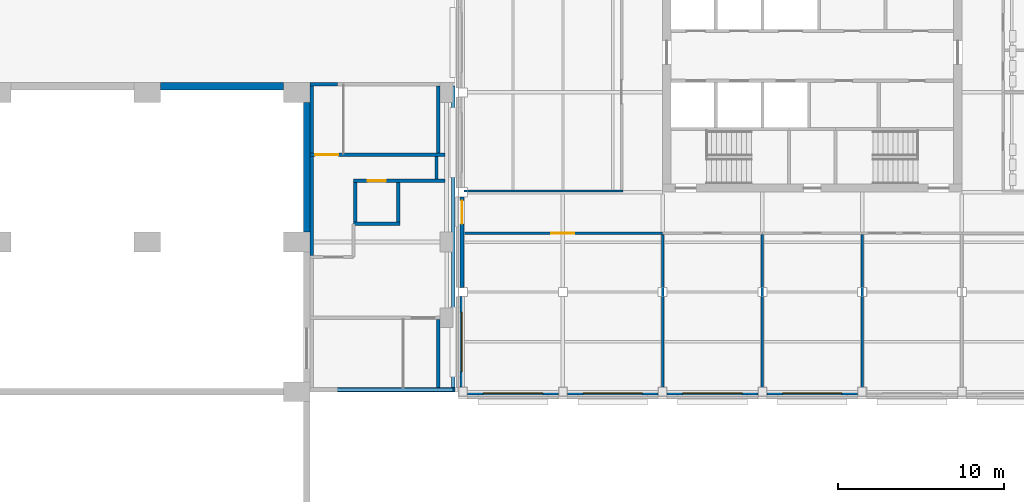
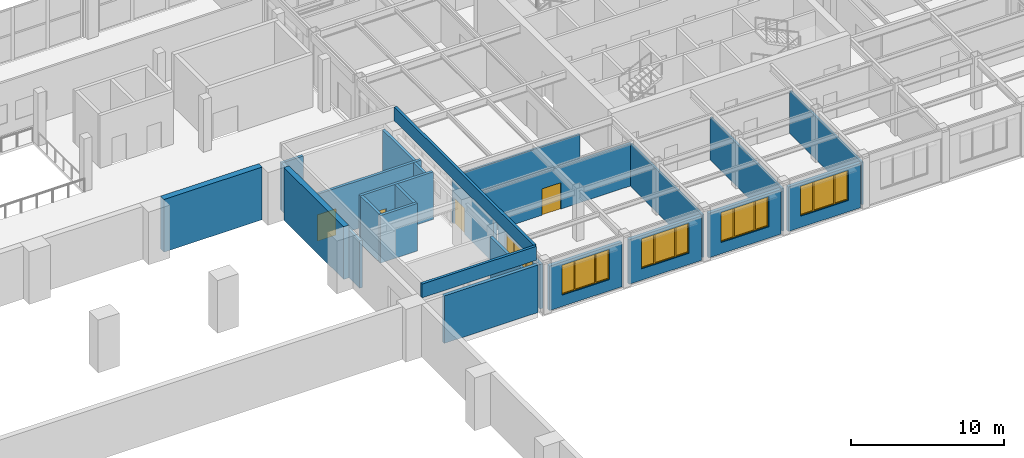
# One storey, part 22 of 39: 27 walls, 5 windows, 4 doors, 9 openings.
"""IFC4 building model written with IfcOpenShell, lengths in metres."""

from ifc_helpers import new_model, si_unit, direction, frame, frame_2d, origin, place, context, subcontext, project, spatial, polyline, rectangle, outline, extrude, material, layer, layer_set, type_object, element, fill, save


model = new_model("IFC4")

# Units and contexts
model_context = context("Model", 3, precision=1e-05, world=origin(), true_north=direction((0.0, 1.0)))
body_context = subcontext(model_context, "Body", "Model", "MODEL_VIEW")
ifc_project = project(units=[si_unit("LENGTHUNIT", "METRE"), si_unit("AREAUNIT", "SQUARE_METRE"), si_unit("VOLUMEUNIT", "CUBIC_METRE"), si_unit("PLANEANGLEUNIT", "RADIAN"), si_unit("MASSUNIT", "GRAM", prefix="KILO")], contexts=[model_context])

# Site, building, storey
site_placement = place(None, origin())
site = spatial("IfcSite", under=ifc_project, at=site_placement, CompositionType="ELEMENT")
building_placement = place(site_placement, origin())
building = spatial("IfcBuilding", under=site, at=building_placement, Name="Aravalli Gate Trade Fair Centre", CompositionType="ELEMENT")
storey_placement = place(building_placement, frame((0.0, 0.0, 15.0)))
storey = spatial("IfcBuildingStorey", under=building, at=storey_placement, Name="L03", CompositionType="ELEMENT", Elevation=15.0)

# Walls
ifc_material_1 = material(Name="Concrete M40", Category="concrete")
ifc_layer_1 = layer(ifc_material_1, 0.25, Name="Structural wall")
ifc_material_2 = material(Name="Ventilated air cavity")
ifc_layer_2 = layer(ifc_material_2, 0.050048828125, ventilated=True, Name="Ventilated cavity")
ifc_material_3 = material(Name="Terracotta rainscreen", Category="masonry")
ifc_layer_3 = layer(ifc_material_3, 0.10009765625, Name="Rainscreen cladding")
ifc_layer_set_1 = layer_set([ifc_layer_1, ifc_layer_2, ifc_layer_3], Name="Congress external wall 400")
wall_type_1 = type_object("IfcWallType", Name="Congress external wall 400", PredefinedType="SOLIDWALL", material=ifc_layer_set_1)
wall_1_placement = place(storey_placement, frame((150.60009765625, 100.60009765625, 0.0), z_axis=(0.0, 0.0, 1.0), x_axis=(0.0, 1.0, 0.0)))
element("IfcWall", 1, at=wall_1_placement, inside=storey, type_object=wall_type_1, Name="East wall L03 bay 7", PredefinedType="SOLIDWALL", context=body_context, shape_type="SweptSolid", body=[
    extrude(rectangle(XDim=7.7998046875, YDim=0.39990234375, at=frame_2d((3.89990234375, 0.0))), origin(), (0.0, 0.0, 1.0), 4.199951171875),
])
ifc_layer_4 = layer(ifc_material_1, 0.449951171875)
ifc_layer_set_2 = layer_set([ifc_layer_4], Name="Concrete M40")
wall_type_2 = type_object("IfcWallType", Name="Congress party wall 450", PredefinedType="SOLIDWALL", material=ifc_layer_set_2)
wall_2_placement = place(storey_placement, frame((141.800048828125, 109.375, 0.0), z_axis=(0.0, 0.0, 1.0), x_axis=(1.0, 0.0, 0.0)))
element("IfcWall", 2, at=wall_2_placement, inside=storey, type_object=wall_type_2, Name="North wall L03 bay 5", PredefinedType="SOLIDWALL", context=body_context, shape_type="SweptSolid", body=[
    extrude(rectangle(XDim=7.39990234375, YDim=0.449951171875, at=frame_2d((3.699951171875, 0.0))), origin(), (0.0, 0.0, 1.0), 4.199951171875),
])
ifc_material_4 = material(Name="Concrete M30", Category="concrete")
ifc_layer_5 = layer(ifc_material_4, 0.2099609375, Name="Reinforced concrete")
ifc_material_5 = material(Name="Terracotta cladding", Category="masonry")
ifc_layer_6 = layer(ifc_material_5, 0.0400390625, Name="Terracotta cladding")
ifc_layer_set_3 = layer_set([ifc_layer_5, ifc_layer_6], Name="Link external wall 250")
wall_type_3 = type_object("IfcWallType", Name="Link external wall 250", PredefinedType="SOLIDWALL", material=ifc_layer_set_3)
wall_3_placement = place(storey_placement, frame((152.449951171875, 91.125, 0.0), z_axis=(0.0, 0.0, 1.0), x_axis=(1.0, 0.0, 0.0)))
element("IfcWall", 3, at=wall_3_placement, inside=storey, type_object=wall_type_3, Name="Link wall S2 L03", PredefinedType="SOLIDWALL", context=body_context, shape_type="SweptSolid", body=[
    extrude(rectangle(XDim=7.050048828125, YDim=0.25, at=frame_2d((3.52490234375, 0.0))), origin(), (0.0, 0.0, 1.0), 3.7900390625),
])
wall_4_placement = place(storey_placement, frame((150.800048828125, 109.5, 0.0), z_axis=(0.0, 0.0, 1.0), x_axis=(1.0, 0.0, 0.0)))
element("IfcWall", 4, at=wall_4_placement, inside=storey, type_object=wall_type_3, Name="Link wall N1 L03", PredefinedType="SOLIDWALL", context=body_context, shape_type="SweptSolid", body=[
    extrude(rectangle(XDim=1.64990234375, YDim=0.199951171875, at=frame_2d((0.824951171875, 0.0))), origin(), (0.0, 0.0, 1.0), 3.7900390625),
])
ifc_layer_7 = layer(ifc_material_4, 0.199951171875)
ifc_layer_set_4 = layer_set([ifc_layer_7], Name="Concrete M30")
wall_type_4 = type_object("IfcWallType", Name="Link roof parapet 200", PredefinedType="PARAPET", material=ifc_layer_set_4)
wall_5_placement = place(storey_placement, frame((150.800048828125, 91.125, 4.199951171875), z_axis=(0.0, 0.0, 1.0), x_axis=(1.0, 0.0, 0.0)))
element("IfcWall", 5, at=wall_5_placement, inside=storey, type_object=wall_type_4, Name="Link roof parapet S", PredefinedType="PARAPET", context=body_context, shape_type="SweptSolid", body=[
    extrude(rectangle(XDim=8.599853515625, YDim=0.199951171875, at=frame_2d((4.2998046875, 0.0))), origin(), (0.0, 0.0, 1.0), 1.10009765625),
])
wall_6_placement = place(storey_placement, frame((159.39990234375, 91.22509765625, 4.199951171875), z_axis=(0.0, 0.0, 1.0), x_axis=(0.0, 1.0, 0.0)))
element("IfcWall", 6, at=wall_6_placement, inside=storey, type_object=wall_type_4, Name="Link roof parapet E", PredefinedType="PARAPET", context=body_context, shape_type="SweptSolid", body=[
    extrude(rectangle(XDim=18.1748046875, YDim=0.199951171875, at=frame_2d((9.08740234375, 0.0))), origin(), (0.0, 0.0, 1.0), 1.10009765625),
])

# Wall, opening, door
ifc_layer_8 = layer(ifc_material_4, 0.199951171875)
ifc_layer_set_5 = layer_set([ifc_layer_8], Name="Concrete M30")
wall_type_5 = type_object("IfcWallType", Name="Link stair enclosure 200", PredefinedType="SOLIDWALL", material=ifc_layer_set_5)
wall_7_placement = place(storey_placement, frame((150.800048828125, 105.25, 0.0), z_axis=(0.0, 0.0, 1.0), x_axis=(1.0, 0.0, 0.0)))
wall_7 = element("IfcWall", 7, at=wall_7_placement, inside=storey, type_object=wall_type_5, Name="Link wall LBS L03", PredefinedType="SOLIDWALL", context=body_context, shape_type="SweptSolid", body=[
    extrude(rectangle(XDim=8.094970703125, YDim=0.199951171875, at=frame_2d((4.04736328125, 0.0))), origin(), (0.0, 0.0, 1.0), 3.7900390625),
])
opening_1_placement = place(wall_7_placement, frame((0.300048828125, 0.0, 0.0)))
opening_1 = element("IfcOpeningElement", 8, at=opening_1_placement, cuts=wall_7, Name="Opening T-L03-192", PredefinedType="OPENING", context=body_context, shape_type="SweptSolid", body=[
    extrude(rectangle(XDim=1.39990234375, YDim=2.10009765625, at=frame_2d((0.699951171875, 1.050048828125))), frame((0.0, 0.10986328125, 0.0), z_axis=(0.0, -1.0, 0.0), x_axis=(1.0, 0.0, 0.0)), (0.0, 0.0, 1.0), 0.219970703125),
])
ifc_material_6 = material(Name="Steel, fire rated", Category="steel")
door_type_1 = type_object("IfcDoorType", Name="Wing fire door FD120 1400 x 2100", OperationType="DOUBLE_DOOR_SINGLE_SWING", PredefinedType="DOOR", material=ifc_material_6)
door_1_placement = place(opening_1_placement, origin())
door_1 = element("IfcDoor", 9, at=door_1_placement, inside=storey, type_object=door_type_1, Name="Link door T-L03-192", OperationType="DOUBLE_DOOR_SINGLE_SWING", OverallHeight=2.10009765625, OverallWidth=1.39990234375, PredefinedType="DOOR", context=body_context, shape_type="SweptSolid", body=[
    extrude(rectangle(XDim=1.39990234375, YDim=2.10009765625, at=frame_2d((0.699951171875, 1.050048828125))), frame((0.0, 0.02490234375, 0.0), z_axis=(0.0, -1.0, 0.0), x_axis=(1.0, 0.0, 0.0)), (0.0, 0.0, 1.0), 0.050048828125),
])
fill(opening_1, door_1)

# Walls
wall_8_placement = place(storey_placement, frame((158.5, 91.25, 0.0), z_axis=(0.0, 0.0, 1.0), x_axis=(0.0, 1.0, 0.0)))
element("IfcWall", 10, at=wall_8_placement, inside=storey, type_object=wall_type_5, Name="Link wall LAE L03", PredefinedType="SOLIDWALL", context=body_context, shape_type="SweptSolid", body=[
    extrude(rectangle(XDim=4.10009765625, YDim=0.199951171875, at=frame_2d((2.050048828125, 0.0))), origin(), (0.0, 0.0, 1.0), 3.7900390625),
])
wall_9_placement = place(storey_placement, frame((158.5, 105.35009765625, 0.0), z_axis=(0.0, 0.0, 1.0), x_axis=(0.0, 1.0, 0.0)))
element("IfcWall", 11, at=wall_9_placement, inside=storey, type_object=wall_type_5, Name="Link wall LBE L03", PredefinedType="SOLIDWALL", context=body_context, shape_type="SweptSolid", body=[
    extrude(rectangle(XDim=4.0498046875, YDim=0.199951171875, at=frame_2d((2.02490234375, 0.0))), origin(), (0.0, 0.0, 1.0), 3.7900390625),
])

# Wall, opening, door
wall_10_placement = place(storey_placement, frame((153.39990234375, 103.699951171875, 0.0), z_axis=(0.0, 0.0, 1.0), x_axis=(1.0, 0.0, 0.0)))
wall_10 = element("IfcWall", 12, at=wall_10_placement, inside=storey, type_object=wall_type_5, Name="Link wall FHS L03", PredefinedType="SOLIDWALL", context=body_context, shape_type="SweptSolid", body=[
    extrude(rectangle(XDim=5.4951171875, YDim=0.199951171875, at=frame_2d((2.74755859375, 0.0))), origin(), (0.0, 0.0, 1.0), 3.7900390625),
])
opening_2_placement = place(wall_10_placement, frame((0.85009765625, 0.0, 0.0)))
opening_2 = element("IfcOpeningElement", 13, at=opening_2_placement, cuts=wall_10, Name="Opening T-L03-194", PredefinedType="OPENING", context=body_context, shape_type="SweptSolid", body=[
    extrude(rectangle(XDim=1.10009765625, YDim=2.10009765625, at=frame_2d((0.550048828125, 1.050048828125))), frame((0.0, 0.10986328125, 0.0), z_axis=(0.0, -1.0, 0.0), x_axis=(1.0, 0.0, 0.0)), (0.0, 0.0, 1.0), 0.219970703125),
])
ifc_material_7 = material(Name="Elevator door panels")
door_type_2 = type_object("IfcDoorType", Name="Wing lift landing door 1100 x 2100", OperationType="SLIDING_TO_LEFT", PredefinedType="DOOR", material=ifc_material_7)
door_2_placement = place(opening_2_placement, origin())
door_2 = element("IfcDoor", 14, at=door_2_placement, inside=storey, type_object=door_type_2, Name="Landing door T-L03-194", OperationType="SLIDING_TO_LEFT", OverallHeight=2.10009765625, OverallWidth=1.10009765625, PredefinedType="DOOR", context=body_context, shape_type="SweptSolid", body=[
    extrude(rectangle(XDim=1.10009765625, YDim=2.10009765625, at=frame_2d((0.550048828125, 1.050048828125))), frame((0.0, 0.02490234375, 0.0), z_axis=(0.0, -1.0, 0.0), x_axis=(1.0, 0.0, 0.0)), (0.0, 0.0, 1.0), 0.050048828125),
])
fill(opening_2, door_2)

# Walls
wall_11_placement = place(storey_placement, frame((158.39990234375, 103.800048828125, 0.0), z_axis=(0.0, 0.0, 1.0), x_axis=(0.0, 1.0, 0.0)))
element("IfcWall", 15, at=wall_11_placement, inside=storey, type_object=wall_type_5, Name="Link wall FHE L03", PredefinedType="SOLIDWALL", context=body_context, shape_type="SweptSolid", body=[
    extrude(rectangle(XDim=1.349853515625, YDim=0.199951171875, at=frame_2d((0.6748046875, 0.0))), origin(), (0.0, 0.0, 1.0), 3.7900390625),
])
for number, where, z_axis, x_axis, name in (
    (16, (153.5, 101.199951171875, 0.0), (0.0, 0.0, 1.0), (0.0, 1.0, 0.0), "Link wall FHW L03"),
    (17, (156.10009765625, 101.199951171875, 0.0), (0.0, 0.0, 1.0), (0.0, 1.0, 0.0), "Link wall FHX L03"),
):
    element("IfcWall", number, at=place(storey_placement, frame(where, z_axis=z_axis, x_axis=x_axis)), inside=storey, type_object=wall_type_5, Name=name, PredefinedType="SOLIDWALL", context=body_context, shape_type="SweptSolid", body=[
        extrude(rectangle(XDim=2.400146484375, YDim=0.199951171875, at=frame_2d((1.2001953125, 0.0))), origin(), (0.0, 0.0, 1.0), 3.7900390625),
    ])
wall_12_placement = place(storey_placement, frame((153.39990234375, 101.10009765625, 0.0), z_axis=(0.0, 0.0, 1.0), x_axis=(1.0, 0.0, 0.0)))
element("IfcWall", 18, at=wall_12_placement, inside=storey, type_object=wall_type_5, Name="Link wall FHB L03", PredefinedType="SOLIDWALL", context=body_context, shape_type="SweptSolid", body=[
    extrude(rectangle(XDim=2.800048828125, YDim=0.199951171875, at=frame_2d((1.39990234375, 0.0))), origin(), (0.0, 0.0, 1.0), 3.7900390625),
])
wall_13_placement = place(storey_placement, frame((150.89990234375, 99.199951171875, 0.0), z_axis=(0.0, 0.0, 1.0), x_axis=(0.0, 1.0, 0.0)))
element("IfcWall", 19, at=wall_13_placement, inside=storey, type_object=wall_type_5, Name="Link west closing wall 3 L03", PredefinedType="SOLIDWALL", context=body_context, shape_type="SweptSolid", body=[
    extrude(rectangle(XDim=5.949951171875, YDim=0.199951171875, at=frame_2d((2.97509765625, 0.0))), origin(), (0.0, 0.0, 1.0), 3.7900390625),
])
wall_14_placement = place(storey_placement, frame((150.89990234375, 105.35009765625, 0.0), z_axis=(0.0, 0.0, 1.0), x_axis=(0.0, 1.0, 0.0)))
element("IfcWall", 20, at=wall_14_placement, inside=storey, type_object=wall_type_5, Name="Link west closing wall 4 L03", PredefinedType="SOLIDWALL", context=body_context, shape_type="SweptSolid", body=[
    extrude(rectangle(XDim=4.0498046875, YDim=0.199951171875, at=frame_2d((2.02490234375, 0.0))), origin(), (0.0, 0.0, 1.0), 3.7900390625),
])

# Wall, opening, door
ifc_material_8 = material(Name="Blockwork with fire-rated lining", Category="masonry")
ifc_layer_9 = layer(ifc_material_8, 0.14990234375)
ifc_layer_set_6 = layer_set([ifc_layer_9], Name="Blockwork with fire-rated lining")
wall_type_6 = type_object("IfcWallType", Name="Wing partition 150 (EI 60, corridor wall)", PredefinedType="PARTITIONING", material=ifc_layer_set_6)
wall_15_placement = place(storey_placement, frame((160.050048828125, 100.52490234375, 0.0), z_axis=(0.0, 0.0, 1.0), x_axis=(1.0, 0.0, 0.0)))
wall_15 = element("IfcWall", 21, at=wall_15_placement, inside=storey, type_object=wall_type_6, Name="Partition SW1 L03", PredefinedType="PARTITIONING", context=body_context, shape_type="SweptSolid", body=[
    extrude(rectangle(XDim=11.949951171875, YDim=0.14990234375, at=frame_2d((5.97509765625, 0.0))), origin(), (0.0, 0.0, 1.0), 3.39990234375),
])
opening_3_placement = place(wall_15_placement, frame((5.237548828125, 0.0, 0.0)))
opening_3 = element("IfcOpeningElement", 22, at=opening_3_placement, cuts=wall_15, Name="Opening T-L03-141", PredefinedType="OPENING", context=body_context, shape_type="SweptSolid", body=[
    extrude(rectangle(XDim=1.39990234375, YDim=2.10009765625, at=frame_2d((0.699951171875, 1.050048828125))), frame((0.0, 0.0849609375, 0.0), z_axis=(0.0, -1.0, 0.0), x_axis=(1.0, 0.0, 0.0)), (0.0, 0.0, 1.0), 0.169921875),
])
door_type_3 = type_object("IfcDoorType", Name="Wing fire door FD60 1400 x 2100", OperationType="DOUBLE_DOOR_SINGLE_SWING", PredefinedType="DOOR", material=ifc_material_6)
door_3_placement = place(opening_3_placement, frame((1.39990234375, 0.0, 0.0), z_axis=(0.0, 0.0, 1.0), x_axis=(-1.0, 0.0, 0.0)))
door_3 = element("IfcDoor", 23, at=door_3_placement, inside=storey, type_object=door_type_3, Name="Door T-L03-141", OperationType="DOUBLE_DOOR_SINGLE_SWING", OverallHeight=2.10009765625, OverallWidth=1.39990234375, PredefinedType="DOOR", context=body_context, shape_type="SweptSolid", body=[
    extrude(rectangle(XDim=1.39990234375, YDim=2.10009765625, at=frame_2d((0.699951171875, 1.050048828125))), frame((0.0, 0.02490234375, 0.0), z_axis=(0.0, -1.0, 0.0), x_axis=(1.0, 0.0, 0.0)), (0.0, 0.0, 1.0), 0.050048828125),
])
fill(opening_3, door_3)

# Walls
for number, where, z_axis, x_axis, name in (
    (24, (172.0, 91.050048828125, 0.0), (0.0, 0.0, 1.0), (0.0, 1.0, 0.0), "Partition SP1 L03"),
    (25, (178.0, 91.050048828125, 0.0), (0.0, 0.0, 1.0), (0.0, 1.0, 0.0), "Partition SP2 L03"),
    (26, (184.0, 91.050048828125, 0.0), (0.0, 0.0, 1.0), (0.0, 1.0, 0.0), "Partition SP3 L03"),
):
    element("IfcWall", number, at=place(storey_placement, frame(where, z_axis=z_axis, x_axis=x_axis)), inside=storey, type_object=wall_type_6, Name=name, PredefinedType="PARTITIONING", context=body_context, shape_type="SweptSolid", body=[
        extrude(rectangle(XDim=9.39990234375, YDim=0.14990234375, at=frame_2d((4.699951171875, 0.0))), origin(), (0.0, 0.0, 1.0), 3.39990234375),
    ])
wall_16_placement = place(storey_placement, frame((160.050048828125, 103.074951171875, 0.0), z_axis=(0.0, 0.0, 1.0), x_axis=(1.0, 0.0, 0.0)))
element("IfcWall", 27, at=wall_16_placement, inside=storey, type_object=wall_type_6, Name="Partition CL-SW L03", PredefinedType="PARTITIONING", context=body_context, shape_type="SweptSolid", body=[
    extrude(rectangle(XDim=9.550048828125, YDim=0.14990234375, at=frame_2d((4.77490234375, 0.0))), origin(), (0.0, 0.0, 1.0), 3.39990234375),
])

# Wall, opening, window
ifc_material_9 = material(Name="Concrete block masonry", Category="masonry")
ifc_layer_10 = layer(ifc_material_9, 0.2099609375, Name="Block masonry")
ifc_layer_11 = layer(ifc_material_5, 0.0400390625, Name="Terracotta cladding")
ifc_layer_set_7 = layer_set([ifc_layer_10, ifc_layer_11], Name="Wing terracotta clad infill wall 250")
wall_type_7 = type_object("IfcWallType", Name="Wing terracotta clad infill wall 250", PredefinedType="SOLIDWALL", material=ifc_layer_set_7)
wall_17_placement = place(storey_placement, frame((160.27490234375, 90.925048828125, 0.0), z_axis=(0.0, 0.0, 1.0), x_axis=(1.0, 0.0, 0.0)))
wall_17 = element("IfcWall", 28, at=wall_17_placement, inside=storey, type_object=wall_type_7, Name="Facade wall S0 L03", PredefinedType="SOLIDWALL", context=body_context, shape_type="SweptSolid", body=[
    extrude(rectangle(XDim=5.4501953125, YDim=0.25, at=frame_2d((2.72509765625, 0.0))), origin(), (0.0, 0.0, 1.0), 3.550048828125),
])
opening_4_placement = place(wall_17_placement, frame((0.925048828125, 0.0, 0.89990234375)))
opening_4 = element("IfcOpeningElement", 29, at=opening_4_placement, cuts=wall_17, Name="Opening TWN1", PredefinedType="OPENING", context=body_context, shape_type="SweptSolid", body=[
    extrude(rectangle(XDim=3.60009765625, YDim=2.39990234375, at=frame_2d((1.800048828125, 1.199951171875))), frame((0.0, 0.135009765625, 0.0), z_axis=(0.0, -1.0, 0.0), x_axis=(1.0, 0.0, 0.0)), (0.0, 0.0, 1.0), 0.27001953125),
])
ifc_material_10 = material(Name="Aluminium and glass", Category="aluminium")
window_type = type_object("IfcWindowType", Name="Wing chicago window 3600 x 2400", PartitioningType="TRIPLE_PANEL_VERTICAL", PredefinedType="WINDOW", material=ifc_material_10)
window_1_placement = place(opening_4_placement, origin())
window_1 = element("IfcWindow", 30, at=window_1_placement, inside=storey, type_object=window_type, Name="Window S0 L03", OverallHeight=2.39990234375, OverallWidth=3.60009765625, PartitioningType="TRIPLE_PANEL_VERTICAL", PredefinedType="WINDOW", context=body_context, shape_type="SweptSolid", body=[
    extrude(outline(polyline([(0.0, 0.0), (3.60009765625, 0.0), (3.60009765625, 2.39990234375), (0.0, 2.39990234375), (0.0, 0.0)]), holes=[polyline([(0.06005859375, 0.06005859375), (0.9599609375, 0.06005859375), (0.9599609375, 2.33984375), (0.06005859375, 2.33984375), (0.06005859375, 0.06005859375)]), polyline([(1.06005859375, 0.06005859375), (2.539794921875, 0.06005859375), (2.539794921875, 2.33984375), (1.06005859375, 2.33984375), (1.06005859375, 0.06005859375)]), polyline([(2.639892578125, 0.06005859375), (3.539794921875, 0.06005859375), (3.539794921875, 2.33984375), (2.639892578125, 2.33984375), (2.639892578125, 0.06005859375)])]), frame((0.0, 0.030029296875, 0.0), z_axis=(0.0, -1.0, 0.0), x_axis=(1.0, 0.0, 0.0)), (0.0, 0.0, 1.0), 0.06005859375),
    extrude(rectangle(XDim=0.923828125, YDim=2.3037109375, at=frame_2d((0.510009765625, 1.199951171875))), frame((0.0, 0.010009765625, 0.0), z_axis=(0.0, -1.0, 0.0), x_axis=(1.0, 0.0, 0.0)), (0.0, 0.0, 1.0), 0.02001953125),
    extrude(rectangle(XDim=1.503662109375, YDim=2.3037109375, at=frame_2d((1.7998046875, 1.199951171875))), frame((0.0, 0.010009765625, 0.0), z_axis=(0.0, -1.0, 0.0), x_axis=(1.0, 0.0, 0.0)), (0.0, 0.0, 1.0), 0.02001953125),
    extrude(rectangle(XDim=0.923828125, YDim=2.3037109375, at=frame_2d((3.08984375, 1.199951171875))), frame((0.0, 0.010009765625, 0.0), z_axis=(0.0, -1.0, 0.0), x_axis=(1.0, 0.0, 0.0)), (0.0, 0.0, 1.0), 0.02001953125),
])
fill(opening_4, window_1)

wall_18_placement = place(storey_placement, frame((166.27490234375, 90.925048828125, 0.0), z_axis=(0.0, 0.0, 1.0), x_axis=(1.0, 0.0, 0.0)))
wall_18 = element("IfcWall", 31, at=wall_18_placement, inside=storey, type_object=wall_type_7, Name="Facade wall S1 L03", PredefinedType="SOLIDWALL", context=body_context, shape_type="SweptSolid", body=[
    extrude(rectangle(XDim=5.4501953125, YDim=0.25, at=frame_2d((2.72509765625, 0.0))), origin(), (0.0, 0.0, 1.0), 3.550048828125),
])
opening_5_placement = place(wall_18_placement, frame((0.925048828125, 0.0, 0.89990234375)))
opening_5 = element("IfcOpeningElement", 32, at=opening_5_placement, cuts=wall_18, Name="Opening TWN1", PredefinedType="OPENING", context=body_context, shape_type="SweptSolid", body=[
    extrude(rectangle(XDim=3.60009765625, YDim=2.39990234375, at=frame_2d((1.800048828125, 1.199951171875))), frame((0.0, 0.135009765625, 0.0), z_axis=(0.0, -1.0, 0.0), x_axis=(1.0, 0.0, 0.0)), (0.0, 0.0, 1.0), 0.27001953125),
])
window_2_placement = place(opening_5_placement, origin())
window_2 = element("IfcWindow", 33, at=window_2_placement, inside=storey, type_object=window_type, Name="Window S1 L03", OverallHeight=2.39990234375, OverallWidth=3.60009765625, PartitioningType="TRIPLE_PANEL_VERTICAL", PredefinedType="WINDOW", context=body_context, shape_type="SweptSolid", body=[
    extrude(outline(polyline([(0.0, 0.0), (3.60009765625, 0.0), (3.60009765625, 2.39990234375), (0.0, 2.39990234375), (0.0, 0.0)]), holes=[polyline([(0.06005859375, 0.06005859375), (0.9599609375, 0.06005859375), (0.9599609375, 2.33984375), (0.06005859375, 2.33984375), (0.06005859375, 0.06005859375)]), polyline([(1.06005859375, 0.06005859375), (2.539794921875, 0.06005859375), (2.539794921875, 2.33984375), (1.06005859375, 2.33984375), (1.06005859375, 0.06005859375)]), polyline([(2.639892578125, 0.06005859375), (3.539794921875, 0.06005859375), (3.539794921875, 2.33984375), (2.639892578125, 2.33984375), (2.639892578125, 0.06005859375)])]), frame((0.0, 0.030029296875, 0.0), z_axis=(0.0, -1.0, 0.0), x_axis=(1.0, 0.0, 0.0)), (0.0, 0.0, 1.0), 0.06005859375),
    extrude(rectangle(XDim=0.923828125, YDim=2.3037109375, at=frame_2d((0.510009765625, 1.199951171875))), frame((0.0, 0.010009765625, 0.0), z_axis=(0.0, -1.0, 0.0), x_axis=(1.0, 0.0, 0.0)), (0.0, 0.0, 1.0), 0.02001953125),
    extrude(rectangle(XDim=1.503662109375, YDim=2.3037109375, at=frame_2d((1.7998046875, 1.199951171875))), frame((0.0, 0.010009765625, 0.0), z_axis=(0.0, -1.0, 0.0), x_axis=(1.0, 0.0, 0.0)), (0.0, 0.0, 1.0), 0.02001953125),
    extrude(rectangle(XDim=0.923828125, YDim=2.3037109375, at=frame_2d((3.08984375, 1.199951171875))), frame((0.0, 0.010009765625, 0.0), z_axis=(0.0, -1.0, 0.0), x_axis=(1.0, 0.0, 0.0)), (0.0, 0.0, 1.0), 0.02001953125),
])
fill(opening_5, window_2)

wall_19_placement = place(storey_placement, frame((172.27490234375, 90.925048828125, 0.0), z_axis=(0.0, 0.0, 1.0), x_axis=(1.0, 0.0, 0.0)))
wall_19 = element("IfcWall", 34, at=wall_19_placement, inside=storey, type_object=wall_type_7, Name="Facade wall S2 L03", PredefinedType="SOLIDWALL", context=body_context, shape_type="SweptSolid", body=[
    extrude(rectangle(XDim=5.4501953125, YDim=0.25, at=frame_2d((2.72509765625, 0.0))), origin(), (0.0, 0.0, 1.0), 3.550048828125),
])
opening_6_placement = place(wall_19_placement, frame((0.925048828125, 0.0, 0.89990234375)))
opening_6 = element("IfcOpeningElement", 35, at=opening_6_placement, cuts=wall_19, Name="Opening TWN1", PredefinedType="OPENING", context=body_context, shape_type="SweptSolid", body=[
    extrude(rectangle(XDim=3.60009765625, YDim=2.39990234375, at=frame_2d((1.800048828125, 1.199951171875))), frame((0.0, 0.135009765625, 0.0), z_axis=(0.0, -1.0, 0.0), x_axis=(1.0, 0.0, 0.0)), (0.0, 0.0, 1.0), 0.27001953125),
])
window_3_placement = place(opening_6_placement, origin())
window_3 = element("IfcWindow", 36, at=window_3_placement, inside=storey, type_object=window_type, Name="Window S2 L03", OverallHeight=2.39990234375, OverallWidth=3.60009765625, PartitioningType="TRIPLE_PANEL_VERTICAL", PredefinedType="WINDOW", context=body_context, shape_type="SweptSolid", body=[
    extrude(outline(polyline([(0.0, 0.0), (3.60009765625, 0.0), (3.60009765625, 2.39990234375), (0.0, 2.39990234375), (0.0, 0.0)]), holes=[polyline([(0.06005859375, 0.06005859375), (0.9599609375, 0.06005859375), (0.9599609375, 2.33984375), (0.06005859375, 2.33984375), (0.06005859375, 0.06005859375)]), polyline([(1.06005859375, 0.06005859375), (2.539794921875, 0.06005859375), (2.539794921875, 2.33984375), (1.06005859375, 2.33984375), (1.06005859375, 0.06005859375)]), polyline([(2.639892578125, 0.06005859375), (3.539794921875, 0.06005859375), (3.539794921875, 2.33984375), (2.639892578125, 2.33984375), (2.639892578125, 0.06005859375)])]), frame((0.0, 0.030029296875, 0.0), z_axis=(0.0, -1.0, 0.0), x_axis=(1.0, 0.0, 0.0)), (0.0, 0.0, 1.0), 0.06005859375),
    extrude(rectangle(XDim=0.923828125, YDim=2.3037109375, at=frame_2d((0.510009765625, 1.199951171875))), frame((0.0, 0.010009765625, 0.0), z_axis=(0.0, -1.0, 0.0), x_axis=(1.0, 0.0, 0.0)), (0.0, 0.0, 1.0), 0.02001953125),
    extrude(rectangle(XDim=1.503662109375, YDim=2.3037109375, at=frame_2d((1.7998046875, 1.199951171875))), frame((0.0, 0.010009765625, 0.0), z_axis=(0.0, -1.0, 0.0), x_axis=(1.0, 0.0, 0.0)), (0.0, 0.0, 1.0), 0.02001953125),
    extrude(rectangle(XDim=0.923828125, YDim=2.3037109375, at=frame_2d((3.08984375, 1.199951171875))), frame((0.0, 0.010009765625, 0.0), z_axis=(0.0, -1.0, 0.0), x_axis=(1.0, 0.0, 0.0)), (0.0, 0.0, 1.0), 0.02001953125),
])
fill(opening_6, window_3)

wall_20_placement = place(storey_placement, frame((178.27490234375, 90.925048828125, 0.0), z_axis=(0.0, 0.0, 1.0), x_axis=(1.0, 0.0, 0.0)))
wall_20 = element("IfcWall", 37, at=wall_20_placement, inside=storey, type_object=wall_type_7, Name="Facade wall S3 L03", PredefinedType="SOLIDWALL", context=body_context, shape_type="SweptSolid", body=[
    extrude(rectangle(XDim=5.4501953125, YDim=0.25, at=frame_2d((2.72509765625, 0.0))), origin(), (0.0, 0.0, 1.0), 3.550048828125),
])
opening_7_placement = place(wall_20_placement, frame((0.925048828125, 0.0, 0.89990234375)))
opening_7 = element("IfcOpeningElement", 38, at=opening_7_placement, cuts=wall_20, Name="Opening TWN1", PredefinedType="OPENING", context=body_context, shape_type="SweptSolid", body=[
    extrude(rectangle(XDim=3.60009765625, YDim=2.39990234375, at=frame_2d((1.800048828125, 1.199951171875))), frame((0.0, 0.135009765625, 0.0), z_axis=(0.0, -1.0, 0.0), x_axis=(1.0, 0.0, 0.0)), (0.0, 0.0, 1.0), 0.27001953125),
])
window_4_placement = place(opening_7_placement, origin())
window_4 = element("IfcWindow", 39, at=window_4_placement, inside=storey, type_object=window_type, Name="Window S3 L03", OverallHeight=2.39990234375, OverallWidth=3.60009765625, PartitioningType="TRIPLE_PANEL_VERTICAL", PredefinedType="WINDOW", context=body_context, shape_type="SweptSolid", body=[
    extrude(outline(polyline([(0.0, 0.0), (3.60009765625, 0.0), (3.60009765625, 2.39990234375), (0.0, 2.39990234375), (0.0, 0.0)]), holes=[polyline([(0.06005859375, 0.06005859375), (0.9599609375, 0.06005859375), (0.9599609375, 2.33984375), (0.06005859375, 2.33984375), (0.06005859375, 0.06005859375)]), polyline([(1.06005859375, 0.06005859375), (2.539794921875, 0.06005859375), (2.539794921875, 2.33984375), (1.06005859375, 2.33984375), (1.06005859375, 0.06005859375)]), polyline([(2.639892578125, 0.06005859375), (3.539794921875, 0.06005859375), (3.539794921875, 2.33984375), (2.639892578125, 2.33984375), (2.639892578125, 0.06005859375)])]), frame((0.0, 0.030029296875, 0.0), z_axis=(0.0, -1.0, 0.0), x_axis=(1.0, 0.0, 0.0)), (0.0, 0.0, 1.0), 0.06005859375),
    extrude(rectangle(XDim=0.923828125, YDim=2.3037109375, at=frame_2d((0.510009765625, 1.199951171875))), frame((0.0, 0.010009765625, 0.0), z_axis=(0.0, -1.0, 0.0), x_axis=(1.0, 0.0, 0.0)), (0.0, 0.0, 1.0), 0.02001953125),
    extrude(rectangle(XDim=1.503662109375, YDim=2.3037109375, at=frame_2d((1.7998046875, 1.199951171875))), frame((0.0, 0.010009765625, 0.0), z_axis=(0.0, -1.0, 0.0), x_axis=(1.0, 0.0, 0.0)), (0.0, 0.0, 1.0), 0.02001953125),
    extrude(rectangle(XDim=0.923828125, YDim=2.3037109375, at=frame_2d((3.08984375, 1.199951171875))), frame((0.0, 0.010009765625, 0.0), z_axis=(0.0, -1.0, 0.0), x_axis=(1.0, 0.0, 0.0)), (0.0, 0.0, 1.0), 0.02001953125),
])
fill(opening_7, window_4)

ifc_layer_12 = layer(ifc_material_9, 0.2099609375, Name="Block masonry")
ifc_layer_13 = layer(ifc_material_5, 0.0400390625, Name="Terracotta cladding")
ifc_layer_set_8 = layer_set([ifc_layer_12, ifc_layer_13], Name="Wing west closing wall 250")
wall_type_8 = type_object("IfcWallType", Name="Wing west closing wall 250", PredefinedType="SOLIDWALL", material=ifc_layer_set_8)
wall_21_placement = place(storey_placement, frame((159.925048828125, 91.27490234375, 0.0), z_axis=(0.0, 0.0, 1.0), x_axis=(0.0, 1.0, 0.0)))
wall_21 = element("IfcWall", 40, at=wall_21_placement, inside=storey, type_object=wall_type_8, Name="Facade wall W0 L03", PredefinedType="SOLIDWALL", context=body_context, shape_type="SweptSolid", body=[
    extrude(rectangle(XDim=5.4501953125, YDim=0.25, at=frame_2d((2.72509765625, 0.0))), origin(), (0.0, 0.0, 1.0), 3.550048828125),
])
opening_8_placement = place(wall_21_placement, frame((0.925048828125, 0.0, 0.89990234375)))
opening_8 = element("IfcOpeningElement", 41, at=opening_8_placement, cuts=wall_21, Name="Opening TWN1", PredefinedType="OPENING", context=body_context, shape_type="SweptSolid", body=[
    extrude(rectangle(XDim=3.60009765625, YDim=2.39990234375, at=frame_2d((1.800048828125, 1.199951171875))), frame((0.0, 0.135009765625, 0.0), z_axis=(0.0, -1.0, 0.0), x_axis=(1.0, 0.0, 0.0)), (0.0, 0.0, 1.0), 0.27001953125),
])
window_5_placement = place(opening_8_placement, origin())
window_5 = element("IfcWindow", 42, at=window_5_placement, inside=storey, type_object=window_type, Name="Window W0 L03", OverallHeight=2.39990234375, OverallWidth=3.60009765625, PartitioningType="TRIPLE_PANEL_VERTICAL", PredefinedType="WINDOW", context=body_context, shape_type="SweptSolid", body=[
    extrude(outline(polyline([(0.0, 0.0), (3.60009765625, 0.0), (3.60009765625, 2.39990234375), (0.0, 2.39990234375), (0.0, 0.0)]), holes=[polyline([(0.06005859375, 0.06005859375), (0.9599609375, 0.06005859375), (0.9599609375, 2.33984375), (0.06005859375, 2.33984375), (0.06005859375, 0.06005859375)]), polyline([(1.06005859375, 0.06005859375), (2.539794921875, 0.06005859375), (2.539794921875, 2.33984375), (1.06005859375, 2.33984375), (1.06005859375, 0.06005859375)]), polyline([(2.639892578125, 0.06005859375), (3.539794921875, 0.06005859375), (3.539794921875, 2.33984375), (2.639892578125, 2.33984375), (2.639892578125, 0.06005859375)])]), frame((0.0, 0.030029296875, 0.0), z_axis=(0.0, -1.0, 0.0), x_axis=(1.0, 0.0, 0.0)), (0.0, 0.0, 1.0), 0.06005859375),
    extrude(rectangle(XDim=0.923828125, YDim=2.3037109375, at=frame_2d((0.510009765625, 1.199951171875))), frame((0.0, 0.010009765625, 0.0), z_axis=(0.0, -1.0, 0.0), x_axis=(1.0, 0.0, 0.0)), (0.0, 0.0, 1.0), 0.02001953125),
    extrude(rectangle(XDim=1.503662109375, YDim=2.3037109375, at=frame_2d((1.7998046875, 1.199951171875))), frame((0.0, 0.010009765625, 0.0), z_axis=(0.0, -1.0, 0.0), x_axis=(1.0, 0.0, 0.0)), (0.0, 0.0, 1.0), 0.02001953125),
    extrude(rectangle(XDim=0.923828125, YDim=2.3037109375, at=frame_2d((3.08984375, 1.199951171875))), frame((0.0, 0.010009765625, 0.0), z_axis=(0.0, -1.0, 0.0), x_axis=(1.0, 0.0, 0.0)), (0.0, 0.0, 1.0), 0.02001953125),
])
fill(opening_8, window_5)

# Wall, opening, door
wall_22_placement = place(storey_placement, frame((159.925048828125, 97.27490234375, 0.0), z_axis=(0.0, 0.0, 1.0), x_axis=(0.0, 1.0, 0.0)))
wall_22 = element("IfcWall", 43, at=wall_22_placement, inside=storey, type_object=wall_type_8, Name="Facade wall W1 L03", PredefinedType="SOLIDWALL", context=body_context, shape_type="SweptSolid", body=[
    extrude(rectangle(XDim=5.4501953125, YDim=0.25, at=frame_2d((2.72509765625, 0.0))), origin(), (0.0, 0.0, 1.0), 3.550048828125),
])
opening_9_placement = place(wall_22_placement, frame((3.824951171875, 0.0, 0.0)))
opening_9 = element("IfcOpeningElement", 44, at=opening_9_placement, cuts=wall_22, Name="Opening T-L03-181", PredefinedType="OPENING", context=body_context, shape_type="SweptSolid", body=[
    extrude(rectangle(XDim=1.39990234375, YDim=2.10009765625, at=frame_2d((0.699951171875, 1.050048828125))), frame((0.0, 0.135009765625, 0.0), z_axis=(0.0, -1.0, 0.0), x_axis=(1.0, 0.0, 0.0)), (0.0, 0.0, 1.0), 0.27001953125),
])
door_4_placement = place(opening_9_placement, origin())
door_4 = element("IfcDoor", 45, at=door_4_placement, inside=storey, type_object=door_type_1, Name="Door T-L03-181", OperationType="DOUBLE_DOOR_SINGLE_SWING", OverallHeight=2.10009765625, OverallWidth=1.39990234375, PredefinedType="DOOR", context=body_context, shape_type="SweptSolid", body=[
    extrude(rectangle(XDim=1.39990234375, YDim=2.10009765625, at=frame_2d((0.699951171875, 1.050048828125))), frame((0.0, 0.02490234375, 0.0), z_axis=(0.0, -1.0, 0.0), x_axis=(1.0, 0.0, 0.0)), (0.0, 0.0, 1.0), 0.050048828125),
])
fill(opening_9, door_4)

save(model, "model.ifc")
